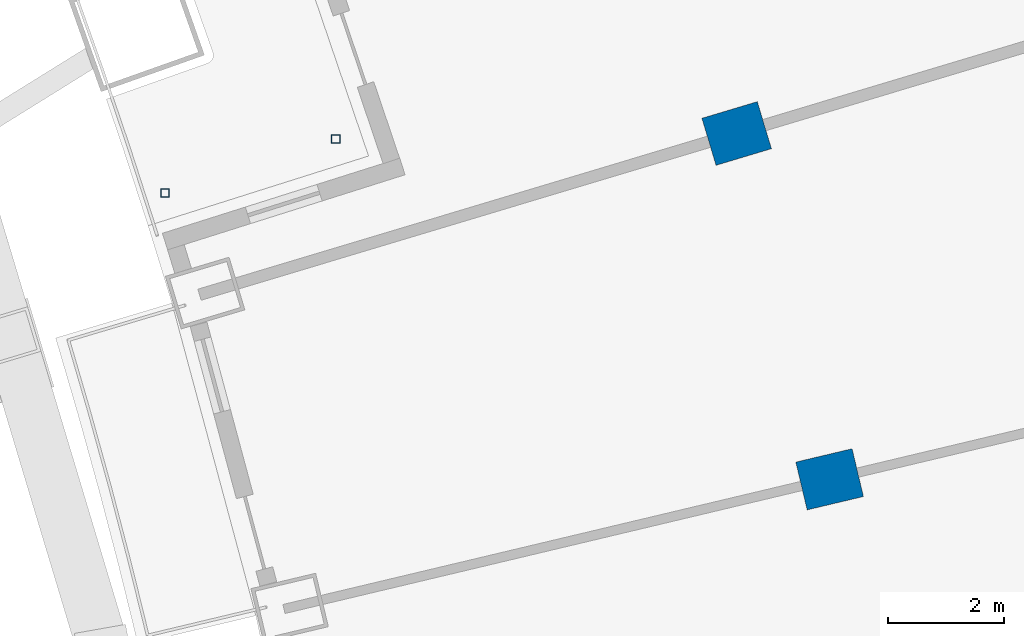
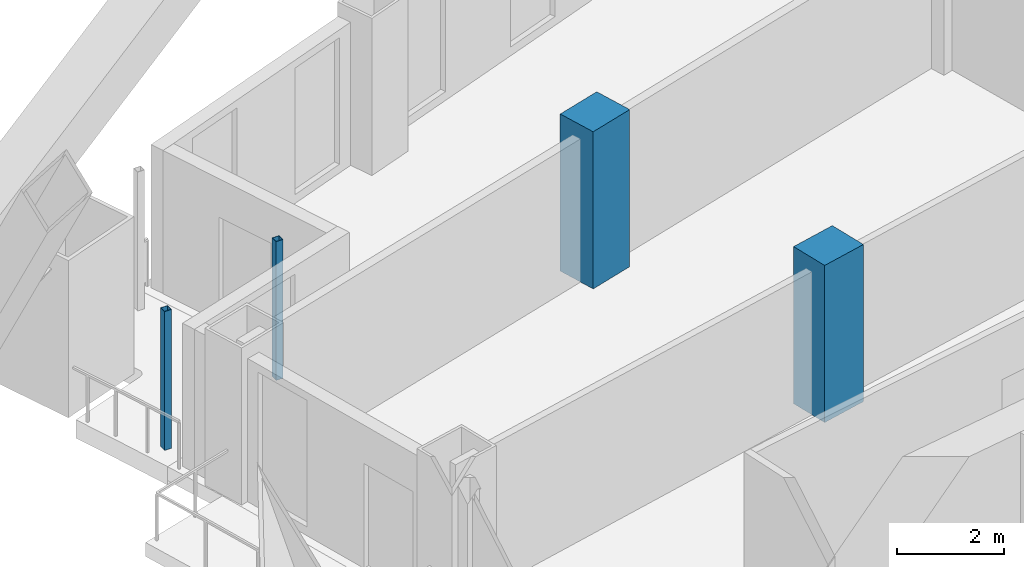
# One storey, part 7 of 26: 4 columns.
"""IFC4 building model written with IfcOpenShell, lengths in metres."""

from ifc_helpers import new_model, si_unit, direction, frame, origin, origin_2d, place, context, subcontext, project, spatial, rectangle, hollow_rectangle, extrude, material, material_profile, profile_set, type_object, element, save


model = new_model("IFC4")

# Units and contexts
model_context = context("Model", 3, precision=1e-05, world=origin(), true_north=direction((0.0, 1.0)))
body_context = subcontext(model_context, "Body", "Model", "MODEL_VIEW")
ifc_project = project(units=[si_unit("LENGTHUNIT", "METRE"), si_unit("AREAUNIT", "SQUARE_METRE"), si_unit("VOLUMEUNIT", "CUBIC_METRE"), si_unit("PLANEANGLEUNIT", "RADIAN"), si_unit("MASSUNIT", "GRAM", prefix="KILO")], contexts=[model_context])

# Site, building, storey
site_placement = place(None, origin())
site = spatial("IfcSite", under=ifc_project, at=site_placement, CompositionType="ELEMENT")
building_placement = place(site_placement, origin())
building = spatial("IfcBuilding", under=site, at=building_placement, Name="Alderwake Tower", CompositionType="ELEMENT")
storey_placement = place(building_placement, frame((0.0, 0.0, 82.39990234375)))
storey = spatial("IfcBuildingStorey", under=building, at=storey_placement, Name="L19", CompositionType="ELEMENT", Elevation=82.39990234375)

# Columns
ifc_material_1 = material(Name="Concrete C70/85", Category="concrete")
ifc_material_profile_1 = material_profile(ifc_material_1, rectangle(XDim=0.85009765625, YDim=1.0, at=origin_2d()), Name="RC 1000X850")
ifc_profile_set_1 = profile_set([ifc_material_profile_1], Name="Concrete C70/85")
column_type_1 = type_object("IfcColumnType", Name="Interior column Z2", PredefinedType="COLUMN", material=ifc_profile_set_1)
for number, where, z_axis, x_axis, name in (
    (1, (23.322021484375, 85.555908203125, 0.0), (0.0, 0.0, 1.0), (-0.231221547198, 0.972901123502, 0.0), "Column R11-C1"),
    (2, (21.714599609375, 91.53759765625, 0.0), (0.0, 0.0, 1.0), (-0.287549418125, 0.957765802342, 0.0), "Column R12-C1"),
):
    element("IfcColumn", number, at=place(storey_placement, frame(where, z_axis=z_axis, x_axis=x_axis)), inside=storey, type_object=column_type_1, Name=name, PredefinedType="COLUMN", context=body_context, shape_type="SweptSolid", body=[
        extrude(rectangle(XDim=0.85009765625, YDim=1.0, at=origin_2d()), origin(), (0.0, 0.0, 1.0), 3.60009765625),
    ])
ifc_material_2 = material(Name="Steel ASTM A500 Grade C", Category="steel")
ifc_material_profile_2 = material_profile(ifc_material_2, hollow_rectangle(XDim=0.15234375, YDim=0.15234375, WallThickness=0.0087890625, at=origin_2d()), Name="HSS6X6X3/8")
ifc_profile_set_2 = profile_set([ifc_material_profile_2], Name="Steel ASTM A500 Grade C")
column_type_2 = type_object("IfcColumnType", Name="Light post HSS6X6X3/8", PredefinedType="COLUMN", material=ifc_profile_set_2)
for number, where, z_axis, x_axis, name in (
    (3, (11.82568359375, 90.507080078125, 0.0), (0.0, 0.0, 1.0), (1.0, 0.0, 0.0), "Terrace post RN1"),
    (4, (14.781494140625, 91.441650390625, 0.0), (0.0, 0.0, 1.0), (1.0, 0.0, 0.0), "Terrace post RN3"),
):
    element("IfcColumn", number, at=place(storey_placement, frame(where, z_axis=z_axis, x_axis=x_axis)), inside=storey, type_object=column_type_2, Name=name, PredefinedType="COLUMN", context=body_context, shape_type="SweptSolid", body=[
        extrude(hollow_rectangle(XDim=0.15234375, YDim=0.15234375, WallThickness=0.0087890625, at=origin_2d()), origin(), (0.0, 0.0, 1.0), 3.18017578125),
    ])

save(model, "model.ifc")
